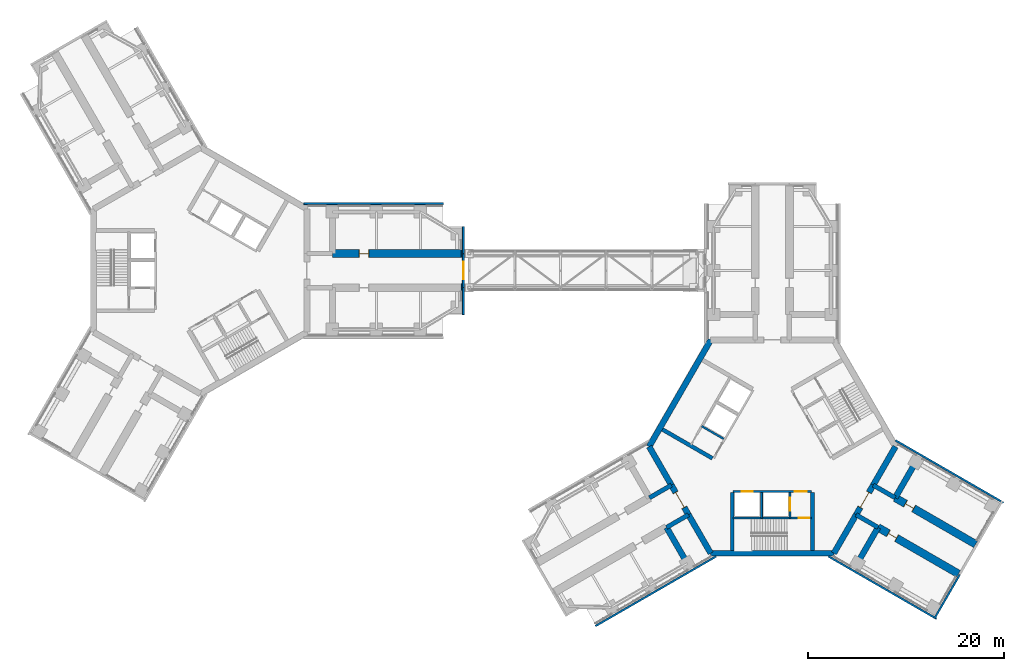
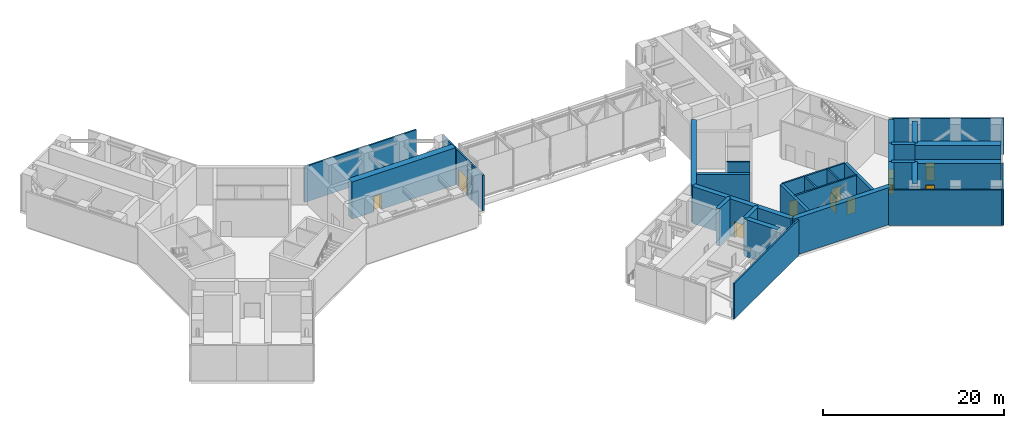
# One storey, part 9 of 15: 36 walls, 10 doors, 10 openings.
"""IFC4 building model written with IfcOpenShell, lengths in metres."""

from ifc_helpers import new_model, si_unit, direction, frame, frame_2d, origin, place, context, subcontext, project, spatial, rectangle, extrude, material, layer, layer_set, type_object, element, fill, save


model = new_model("IFC4")

# Units and contexts
model_context = context("Model", 3, precision=1e-05, world=origin(), true_north=direction((0.0, 1.0)))
body_context = subcontext(model_context, "Body", "Model", "MODEL_VIEW")
ifc_project = project(units=[si_unit("LENGTHUNIT", "METRE"), si_unit("AREAUNIT", "SQUARE_METRE"), si_unit("VOLUMEUNIT", "CUBIC_METRE"), si_unit("PLANEANGLEUNIT", "RADIAN"), si_unit("MASSUNIT", "GRAM", prefix="KILO")], contexts=[model_context])

# Site, building, storey
site_placement = place(None, origin())
site = spatial("IfcSite", under=ifc_project, at=site_placement, CompositionType="ELEMENT")
building_placement = place(site_placement, origin())
building = spatial("IfcBuilding", under=site, at=building_placement, Name="Upepo Twin Towers", CompositionType="ELEMENT")
storey_placement = place(building_placement, frame((0.0, 0.0, 165.5)))
storey = spatial("IfcBuildingStorey", under=building, at=storey_placement, Name="L40", CompositionType="ELEMENT", Elevation=165.5)

# Walls
ifc_material_1 = material(Name="Precast concrete breeze blocks", Category="concrete")
ifc_layer_1 = layer(ifc_material_1, 0.199951171875)
ifc_layer_set_1 = layer_set([ifc_layer_1], Name="Breeze-block screen wall 200")
wall_type_1 = type_object("IfcWallType", Name="Breeze-block screen wall 200", PredefinedType="USERDEFINED", material=ifc_layer_set_1)
wall_1_placement = place(storey_placement, frame((10.587158203125, 6.85009765625, 0.0), z_axis=(0.0, 0.0, 1.0), x_axis=(1.0, 0.0, 0.0)))
element("IfcWall", 1, at=wall_1_placement, inside=storey, type_object=wall_type_1, Name="T1 L40 wing A screen L", ObjectType="SCREEN", PredefinedType="USERDEFINED", context=body_context, shape_type="SweptSolid", body=[
    extrude(rectangle(XDim=14.262939453125, YDim=0.199951171875, at=frame_2d((7.13134765625, 0.0))), origin(), (0.0, 0.0, 1.0), 4.800048828125),
])
for number, where, z_axis, x_axis, name in (
    (2, (26.89990234375, -4.5, 0.0), (0.0, 0.0, 1.0), (0.0, 1.0, 0.0), "T1 L40 wing A nose screen 0"),
    (3, (26.89990234375, 1.75, 0.0), (0.0, 0.0, 1.0), (0.0, 1.0, 0.0), "T1 L40 wing A nose screen 2"),
):
    element("IfcWall", number, at=place(storey_placement, frame(where, z_axis=z_axis, x_axis=x_axis)), inside=storey, type_object=wall_type_1, Name=name, ObjectType="SCREEN", PredefinedType="USERDEFINED", context=body_context, shape_type="SweptSolid", body=[
        extrude(rectangle(XDim=2.75, YDim=0.199951171875, at=frame_2d((1.375, 0.0))), origin(), (0.0, 0.0, 1.0), 4.800048828125),
    ])
wall_2_placement = place(storey_placement, frame((52.75634765625, -29.225830078125, 0.0), z_axis=(0.0, 0.0, 1.0), x_axis=(-0.866028809711, -0.499994100716, 0.0)))
element("IfcWall", 4, at=wall_2_placement, inside=storey, type_object=wall_type_1, Name="T2 L40 wing B screen L", ObjectType="SCREEN", PredefinedType="USERDEFINED", context=body_context, shape_type="SweptSolid", body=[
    extrude(rectangle(XDim=14.262939453125, YDim=0.199951171875, at=frame_2d((7.13134765625, 0.0))), origin(), (0.0, 0.0, 1.0), 4.800048828125),
])
for number, where, z_axis, x_axis, name in (
    (5, (71.09375, -17.361328125, 0.0), (0.0, 0.0, 1.0), (0.866028540889, -0.499994566336, 0.0), "T2 L40 wing C screen L"),
    (6, (75.296630859375, -35.607177734375, 0.0), (0.0, 0.0, 1.0), (-0.866028540889, 0.499994566336, 0.0), "T2 L40 wing C screen R"),
):
    element("IfcWall", number, at=place(storey_placement, frame(where, z_axis=z_axis, x_axis=x_axis)), inside=storey, type_object=wall_type_1, Name=name, ObjectType="SCREEN", PredefinedType="USERDEFINED", context=body_context, shape_type="SweptSolid", body=[
        extrude(rectangle(XDim=12.762939453125, YDim=0.199951171875, at=frame_2d((6.38134765625, 0.0))), origin(), (0.0, 0.0, 1.0), 4.800048828125),
    ])
wall_3_placement = place(storey_placement, frame((75.073486328125, -35.593994140625, 0.0), z_axis=(0.0, 0.0, 1.0), x_axis=(0.500006934395, 0.866021400173, 0.0)))
element("IfcWall", 7, at=wall_3_placement, inside=storey, type_object=wall_type_1, Name="T2 L40 wing C nose screen 0", ObjectType="SCREEN", PredefinedType="USERDEFINED", context=body_context, shape_type="SweptSolid", body=[
    extrude(rectangle(XDim=5.2001953125, YDim=0.199951171875, at=frame_2d((2.60009765625, 0.0))), origin(), (0.0, 0.0, 1.0), 4.800048828125),
])
ifc_material_2 = material(Name="Dense concrete blockwork", Category="masonry")
ifc_layer_2 = layer(ifc_material_2, 0.800048828125)
ifc_layer_set_2 = layer_set([ifc_layer_2], Name="Buttress closer 800, blockwork with fire-stopping to the curtain wall")
wall_type_2 = type_object("IfcWallType", Name="Buttress closer 800, blockwork with fire-stopping to the curtain wall", PredefinedType="PARTITIONING", material=ifc_layer_set_2)
for number, where, z_axis, x_axis, name in (
    (8, (26.699951171875, 1.75, 0.0), (0.0, 0.0, 1.0), (1.0, 0.0, 0.0), "T1 L40 wing A buttress closer L"),
    (9, (26.699951171875, -1.75, 0.0), (0.0, 0.0, 1.0), (1.0, 0.0, 0.0), "T1 L40 wing A buttress closer R"),
):
    element("IfcWall", number, at=place(storey_placement, frame(where, z_axis=z_axis, x_axis=x_axis)), inside=storey, type_object=wall_type_2, Name=name, PredefinedType="PARTITIONING", context=body_context, shape_type="SweptSolid", body=[
        extrude(rectangle(XDim=0.10009765625, YDim=0.800048828125, at=frame_2d((0.050048828125, 0.0))), origin(), (0.0, 0.0, 1.0), 4.800048828125),
    ])
ifc_material_3 = material(Name="Concrete C60/75", Category="concrete")
ifc_layer_3 = layer(ifc_material_3, 0.449951171875)
ifc_layer_set_3 = layer_set([ifc_layer_3], Name="Concrete C60/75")
wall_type_3 = type_object("IfcWallType", Name="Buttress wall 450 RC", PredefinedType="SHEAR", material=ifc_layer_set_3)
for number, where, z_axis, x_axis, name in (
    (10, (49.92822265625, -24.9697265625, 0.0), (0.0, 0.0, 1.0), (-0.866031863473, -0.499988811324, 0.0), "T2 wing B buttress wall L"),
    (11, (48.17822265625, -21.938720703125, 0.0), (0.0, 0.0, 1.0), (-0.866072649678, -0.499918158782, 0.0), "T2 wing B buttress wall R"),
    (12, (68.82177734375, -21.938720703125, 0.0), (0.0, 0.0, 1.0), (0.866072649678, -0.499918158782, 0.0), "T2 wing C buttress wall L"),
    (13, (67.07177734375, -24.9697265625, 0.0), (0.0, 0.0, 1.0), (0.866031863473, -0.499988811324, 0.0), "T2 wing C buttress wall R"),
):
    element("IfcWall", number, at=place(storey_placement, frame(where, z_axis=z_axis, x_axis=x_axis)), inside=storey, type_object=wall_type_3, Name=name, PredefinedType="SHEAR", context=body_context, shape_type="SweptSolid", body=[
        extrude(rectangle(XDim=2.591796875, YDim=0.449951171875, at=frame_2d((1.2958984375, 0.0))), origin(), (0.0, 0.0, 1.0), 5.0),
    ])

# Wall, opening, door
ifc_material_4 = material(Name="Concrete C60/75", Category="concrete")
ifc_layer_4 = layer(ifc_material_4, 0.800048828125)
ifc_layer_set_4 = layer_set([ifc_layer_4], Name="Concrete C60/75")
wall_type_4 = type_object("IfcWallType", Name="Buttress wall 800 RC", PredefinedType="SHEAR", material=ifc_layer_set_4)
wall_4_placement = place(storey_placement, frame((13.5, 1.75, 0.0), z_axis=(0.0, 0.0, 1.0), x_axis=(1.0, 0.0, 0.0)))
wall_4 = element("IfcWall", 14, at=wall_4_placement, inside=storey, type_object=wall_type_4, Name="T1 wing A buttress wall L part 2", PredefinedType="SHEAR", context=body_context, shape_type="SweptSolid", body=[
    extrude(rectangle(XDim=13.199951171875, YDim=0.800048828125, at=frame_2d((6.60009765625, 0.0))), origin(), (0.0, 0.0, 1.0), 5.0),
])
opening_1_placement = place(wall_4_placement, frame((2.75, 0.0, 0.0)))
opening_1 = element("IfcOpeningElement", 15, at=opening_1_placement, cuts=wall_4, Name="Opening D1", PredefinedType="OPENING", context=body_context, shape_type="SweptSolid", body=[
    extrude(rectangle(XDim=1.0, YDim=2.10009765625, at=frame_2d((0.5, 1.050048828125))), frame((0.0, 0.409912109375, 0.0), z_axis=(0.0, -1.0, 0.0), x_axis=(1.0, 0.0, 0.0)), (0.0, 0.0, 1.0), 0.820068359375),
])
ifc_material_5 = material(Name="Timber doorset", Category="wood")
door_type_1 = type_object("IfcDoorType", Name="Room door 1000 FD30", OperationType="SINGLE_SWING_LEFT", PredefinedType="DOOR", material=ifc_material_5)
door_1_placement = place(opening_1_placement, origin())
door_1 = element("IfcDoor", 16, at=door_1_placement, inside=storey, type_object=door_type_1, Name="T1 L40 refuge area door", OperationType="SINGLE_SWING_LEFT", OverallHeight=2.10009765625, OverallWidth=1.0, PredefinedType="DOOR", context=body_context, shape_type="SweptSolid", body=[
    extrude(rectangle(XDim=0.92, YDim=2.06009765625, at=frame_2d((0.5, 1.030029296875))), frame((0.0, 0.02490234375, 0.0), z_axis=(0.0, -1.0, 0.0), x_axis=(1.0, 0.0, 0.0)), (0.0, 0.0, 1.0), 0.050048828125),
    extrude(rectangle(XDim=0.04, YDim=2.10009765625, at=frame_2d((0.02001953125, 1.050048828125))), frame((0.0, 0.39990234375, 0.0), z_axis=(0.0, -1.0, 0.0), x_axis=(1.0, 0.0, 0.0)), (0.0, 0.0, 1.0), 0.799560546875),
    extrude(rectangle(XDim=0.04, YDim=2.10009765625, at=frame_2d((0.97998046875, 1.050048828125))), frame((0.0, 0.39990234375, 0.0), z_axis=(0.0, -1.0, 0.0), x_axis=(1.0, 0.0, 0.0)), (0.0, 0.0, 1.0), 0.799560546875),
    extrude(rectangle(XDim=0.92, YDim=0.04, at=frame_2d((0.5, 2.080078125))), frame((0.0, 0.39990234375, 0.0), z_axis=(0.0, -1.0, 0.0), x_axis=(1.0, 0.0, 0.0)), (0.0, 0.0, 1.0), 0.799560546875),
])
fill(opening_1, door_1)

wall_5_placement = place(storey_placement, frame((71.06640625, -23.234375, 0.0), z_axis=(0.0, 0.0, 1.0), x_axis=(0.86602681393, -0.499997557548, 0.0)))
wall_5 = element("IfcWall", 17, at=wall_5_placement, inside=storey, type_object=wall_type_4, Name="T2 wing C buttress wall L part 2", PredefinedType="SHEAR", context=body_context, shape_type="SweptSolid", body=[
    extrude(rectangle(XDim=9.5, YDim=0.800048828125, at=frame_2d((4.75, 0.0))), origin(), (0.0, 0.0, 1.0), 5.0),
])
opening_2_placement = place(wall_5_placement, frame((1.199951171875, 0.0, 0.0)))
opening_2 = element("IfcOpeningElement", 18, at=opening_2_placement, cuts=wall_5, Name="Opening D1", PredefinedType="OPENING", context=body_context, shape_type="SweptSolid", body=[
    extrude(rectangle(XDim=1.0, YDim=2.10009765625, at=frame_2d((0.5, 1.050048828125))), frame((0.0, 0.409912109375, 0.0), z_axis=(0.0, -1.0, 0.0), x_axis=(1.0, 0.0, 0.0)), (0.0, 0.0, 1.0), 0.820068359375),
])
door_2_placement = place(opening_2_placement, origin())
door_2 = element("IfcDoor", 19, at=door_2_placement, inside=storey, type_object=door_type_1, Name="T2 L40 refuge area door", OperationType="SINGLE_SWING_LEFT", OverallHeight=2.10009765625, OverallWidth=1.0, PredefinedType="DOOR", context=body_context, shape_type="SweptSolid", body=[
    extrude(rectangle(XDim=0.92, YDim=2.06009765625, at=frame_2d((0.5, 1.030029296875))), frame((0.0, 0.02490234375, 0.0), z_axis=(0.0, -1.0, 0.0), x_axis=(1.0, 0.0, 0.0)), (0.0, 0.0, 1.0), 0.050048828125),
    extrude(rectangle(XDim=0.04, YDim=2.10009765625, at=frame_2d((0.02001953125, 1.050048828125))), frame((0.0, 0.39990234375, 0.0), z_axis=(0.0, -1.0, 0.0), x_axis=(1.0, 0.0, 0.0)), (0.0, 0.0, 1.0), 0.799560546875),
    extrude(rectangle(XDim=0.04, YDim=2.10009765625, at=frame_2d((0.97998046875, 1.050048828125))), frame((0.0, 0.39990234375, 0.0), z_axis=(0.0, -1.0, 0.0), x_axis=(1.0, 0.0, 0.0)), (0.0, 0.0, 1.0), 0.799560546875),
    extrude(rectangle(XDim=0.92, YDim=0.04, at=frame_2d((0.5, 2.080078125))), frame((0.0, 0.39990234375, 0.0), z_axis=(0.0, -1.0, 0.0), x_axis=(1.0, 0.0, 0.0)), (0.0, 0.0, 1.0), 0.799560546875),
])
fill(opening_2, door_2)

wall_6_placement = place(storey_placement, frame((69.31640625, -26.265625, 0.0), z_axis=(0.0, 0.0, 1.0), x_axis=(0.86602681393, -0.499997557548, 0.0)))
wall_6 = element("IfcWall", 20, at=wall_6_placement, inside=storey, type_object=wall_type_4, Name="T2 wing C buttress wall R part 2", PredefinedType="SHEAR", context=body_context, shape_type="SweptSolid", body=[
    extrude(rectangle(XDim=9.5, YDim=0.800048828125, at=frame_2d((4.75, 0.0))), origin(), (0.0, 0.0, 1.0), 5.0),
])
opening_3_placement = place(wall_6_placement, frame((1.199951171875, 0.0, 0.0)))
opening_3 = element("IfcOpeningElement", 21, at=opening_3_placement, cuts=wall_6, Name="Opening D1", PredefinedType="OPENING", context=body_context, shape_type="SweptSolid", body=[
    extrude(rectangle(XDim=1.0, YDim=2.10009765625, at=frame_2d((0.5, 1.050048828125))), frame((0.0, 0.409912109375, 0.0), z_axis=(0.0, -1.0, 0.0), x_axis=(1.0, 0.0, 0.0)), (0.0, 0.0, 1.0), 0.820068359375),
])
door_3_placement = place(opening_3_placement, origin())
door_3 = element("IfcDoor", 22, at=door_3_placement, inside=storey, type_object=door_type_1, Name="T2 L40 electrical switch room door", OperationType="SINGLE_SWING_LEFT", OverallHeight=2.10009765625, OverallWidth=1.0, PredefinedType="DOOR", context=body_context, shape_type="SweptSolid", body=[
    extrude(rectangle(XDim=0.92, YDim=2.06009765625, at=frame_2d((0.5, 1.030029296875))), frame((0.0, 0.02490234375, 0.0), z_axis=(0.0, -1.0, 0.0), x_axis=(1.0, 0.0, 0.0)), (0.0, 0.0, 1.0), 0.050048828125),
    extrude(rectangle(XDim=0.04, YDim=2.10009765625, at=frame_2d((0.02001953125, 1.050048828125))), frame((0.0, 0.39990234375, 0.0), z_axis=(0.0, -1.0, 0.0), x_axis=(1.0, 0.0, 0.0)), (0.0, 0.0, 1.0), 0.799560546875),
    extrude(rectangle(XDim=0.04, YDim=2.10009765625, at=frame_2d((0.97998046875, 1.050048828125))), frame((0.0, 0.39990234375, 0.0), z_axis=(0.0, -1.0, 0.0), x_axis=(1.0, 0.0, 0.0)), (0.0, 0.0, 1.0), 0.799560546875),
    extrude(rectangle(XDim=0.92, YDim=0.04, at=frame_2d((0.5, 2.080078125))), frame((0.0, 0.39990234375, 0.0), z_axis=(0.0, -1.0, 0.0), x_axis=(1.0, 0.0, 0.0)), (0.0, 0.0, 1.0), 0.799560546875),
])
fill(opening_3, door_3)

# Walls
ifc_material_6 = material(Name="Concrete C60/75", Category="concrete")
ifc_layer_5 = layer(ifc_material_6, 0.60009765625)
ifc_layer_set_5 = layer_set([ifc_layer_5], Name="Concrete C60/75")
wall_type_5 = type_object("IfcWallType", Name="Core wall 600 RC", PredefinedType="SHEAR", material=ifc_layer_set_5)
wall_7_placement = place(storey_placement, frame((52.2021484375, -7.091552734375, 0.0), z_axis=(0.0, 0.0, 1.0), x_axis=(-0.500005998175, -0.866021940709, 0.0)))
element("IfcWall", 23, at=wall_7_placement, inside=storey, type_object=wall_type_5, Name="T2 core wall 060", PredefinedType="SHEAR", context=body_context, shape_type="SweptSolid", body=[
    extrude(rectangle(XDim=12.595947265625, YDim=0.60009765625, at=frame_2d((6.2978515625, 0.0))), origin(), (0.0, 0.0, 1.0), 5.0),
])
wall_8_placement = place(storey_placement, frame((45.904052734375, -18.0, 0.0), z_axis=(0.0, 0.0, 1.0), x_axis=(0.500024481964, -0.866011268655, 0.0)))
element("IfcWall", 24, at=wall_8_placement, inside=storey, type_object=wall_type_5, Name="T2 core wall 120 R", PredefinedType="SHEAR", context=body_context, shape_type="SweptSolid", body=[
    extrude(rectangle(XDim=4.548095703125, YDim=0.60009765625, at=frame_2d((2.27392578125, 0.0))), origin(), (0.0, 0.0, 1.0), 5.0),
])

# Wall, opening, door
wall_9_placement = place(storey_placement, frame((48.17822265625, -21.938720703125, 0.0), z_axis=(0.0, 0.0, 1.0), x_axis=(0.500010275428, -0.866019471182, 0.0)))
wall_9 = element("IfcWall", 25, at=wall_9_placement, inside=storey, type_object=wall_type_5, Name="T2 core wall 120", PredefinedType="SHEAR", context=body_context, shape_type="SweptSolid", body=[
    extrude(rectangle(XDim=3.5, YDim=0.60009765625, at=frame_2d((1.75, 0.0))), origin(), (0.0, 0.0, 1.0), 5.0),
])
opening_4_placement = place(wall_9_placement, frame((0.85009765625, 0.0, 0.0)))
opening_4 = element("IfcOpeningElement", 26, at=opening_4_placement, cuts=wall_9, Name="Opening D2", PredefinedType="OPENING", context=body_context, shape_type="SweptSolid", body=[
    extrude(rectangle(XDim=1.800048828125, YDim=2.10009765625, at=frame_2d((0.89990234375, 1.050048828125))), frame((0.0, 0.31005859375, 0.0), z_axis=(0.0, -1.0, 0.0), x_axis=(1.0, 0.0, 0.0)), (0.0, 0.0, 1.0), 0.6201171875),
])
ifc_material_7 = material(Name="Timber doorset", Category="wood")
door_type_2 = type_object("IfcDoorType", Name="Corridor double door 1800 FD60", OperationType="DOUBLE_DOOR_DOUBLE_SWING", PredefinedType="DOOR", material=ifc_material_7)
door_4_placement = place(opening_4_placement, origin())
door_4 = element("IfcDoor", 27, at=door_4_placement, inside=storey, type_object=door_type_2, Name="T2 L40 wing B corridor door", OperationType="DOUBLE_DOOR_DOUBLE_SWING", OverallHeight=2.10009765625, OverallWidth=1.800048828125, PredefinedType="DOOR", context=body_context, shape_type="SweptSolid", body=[
    extrude(rectangle(XDim=1.720048828125, YDim=2.06009765625, at=frame_2d((0.89990234375, 1.030029296875))), frame((0.0, 0.02490234375, 0.0), z_axis=(0.0, -1.0, 0.0), x_axis=(1.0, 0.0, 0.0)), (0.0, 0.0, 1.0), 0.050048828125),
    extrude(rectangle(XDim=0.04, YDim=2.10009765625, at=frame_2d((0.02001953125, 1.050048828125))), frame((0.0, 0.2998046875, 0.0), z_axis=(0.0, -1.0, 0.0), x_axis=(1.0, 0.0, 0.0)), (0.0, 0.0, 1.0), 0.599609375),
    extrude(rectangle(XDim=0.04, YDim=2.10009765625, at=frame_2d((1.780029296875, 1.050048828125))), frame((0.0, 0.2998046875, 0.0), z_axis=(0.0, -1.0, 0.0), x_axis=(1.0, 0.0, 0.0)), (0.0, 0.0, 1.0), 0.599609375),
    extrude(rectangle(XDim=1.720048828125, YDim=0.04, at=frame_2d((0.89990234375, 2.080078125))), frame((0.0, 0.2998046875, 0.0), z_axis=(0.0, -1.0, 0.0), x_axis=(1.0, 0.0, 0.0)), (0.0, 0.0, 1.0), 0.599609375),
])
fill(opening_4, door_4)

# Walls
wall_10_placement = place(storey_placement, frame((49.92822265625, -24.9697265625, 0.0), z_axis=(0.0, 0.0, 1.0), x_axis=(0.499984222037, -0.866034513004, 0.0)))
element("IfcWall", 28, at=wall_10_placement, inside=storey, type_object=wall_type_5, Name="T2 core wall 120 L", PredefinedType="SHEAR", context=body_context, shape_type="SweptSolid", body=[
    extrude(rectangle(XDim=4.548095703125, YDim=0.60009765625, at=frame_2d((2.27392578125, 0.0))), origin(), (0.0, 0.0, 1.0), 5.0),
])
wall_11_placement = place(storey_placement, frame((52.2021484375, -28.908447265625, 0.0), z_axis=(0.0, 0.0, 1.0), x_axis=(1.0, 0.0, 0.0)))
element("IfcWall", 29, at=wall_11_placement, inside=storey, type_object=wall_type_5, Name="T2 core wall 180", PredefinedType="SHEAR", context=body_context, shape_type="SweptSolid", body=[
    extrude(rectangle(XDim=12.595703125, YDim=0.60009765625, at=frame_2d((6.2978515625, 0.0))), origin(), (0.0, 0.0, 1.0), 5.0),
])
wall_12_placement = place(storey_placement, frame((64.7978515625, -28.908447265625, 0.0), z_axis=(0.0, 0.0, 1.0), x_axis=(0.499984222037, 0.866034513004, 0.0)))
element("IfcWall", 30, at=wall_12_placement, inside=storey, type_object=wall_type_5, Name="T2 core wall 240 R", PredefinedType="SHEAR", context=body_context, shape_type="SweptSolid", body=[
    extrude(rectangle(XDim=4.548095703125, YDim=0.60009765625, at=frame_2d((2.27392578125, 0.0))), origin(), (0.0, 0.0, 1.0), 5.0),
])

# Wall, opening, door
wall_13_placement = place(storey_placement, frame((67.07177734375, -24.9697265625, 0.0), z_axis=(0.0, 0.0, 1.0), x_axis=(0.500010275428, 0.866019471182, 0.0)))
wall_13 = element("IfcWall", 31, at=wall_13_placement, inside=storey, type_object=wall_type_5, Name="T2 core wall 240", PredefinedType="SHEAR", context=body_context, shape_type="SweptSolid", body=[
    extrude(rectangle(XDim=3.5, YDim=0.60009765625, at=frame_2d((1.75, 0.0))), origin(), (0.0, 0.0, 1.0), 5.0),
])
opening_5_placement = place(wall_13_placement, frame((0.85009765625, 0.0, 0.0)))
opening_5 = element("IfcOpeningElement", 32, at=opening_5_placement, cuts=wall_13, Name="Opening D2", PredefinedType="OPENING", context=body_context, shape_type="SweptSolid", body=[
    extrude(rectangle(XDim=1.800048828125, YDim=2.10009765625, at=frame_2d((0.89990234375, 1.050048828125))), frame((0.0, 0.31005859375, 0.0), z_axis=(0.0, -1.0, 0.0), x_axis=(1.0, 0.0, 0.0)), (0.0, 0.0, 1.0), 0.6201171875),
])
door_5_placement = place(opening_5_placement, origin())
door_5 = element("IfcDoor", 33, at=door_5_placement, inside=storey, type_object=door_type_2, Name="T2 L40 wing C corridor door", OperationType="DOUBLE_DOOR_DOUBLE_SWING", OverallHeight=2.10009765625, OverallWidth=1.800048828125, PredefinedType="DOOR", context=body_context, shape_type="SweptSolid", body=[
    extrude(rectangle(XDim=1.720048828125, YDim=2.06009765625, at=frame_2d((0.89990234375, 1.030029296875))), frame((0.0, 0.02490234375, 0.0), z_axis=(0.0, -1.0, 0.0), x_axis=(1.0, 0.0, 0.0)), (0.0, 0.0, 1.0), 0.050048828125),
    extrude(rectangle(XDim=0.04, YDim=2.10009765625, at=frame_2d((0.02001953125, 1.050048828125))), frame((0.0, 0.2998046875, 0.0), z_axis=(0.0, -1.0, 0.0), x_axis=(1.0, 0.0, 0.0)), (0.0, 0.0, 1.0), 0.599609375),
    extrude(rectangle(XDim=0.04, YDim=2.10009765625, at=frame_2d((1.780029296875, 1.050048828125))), frame((0.0, 0.2998046875, 0.0), z_axis=(0.0, -1.0, 0.0), x_axis=(1.0, 0.0, 0.0)), (0.0, 0.0, 1.0), 0.599609375),
    extrude(rectangle(XDim=1.720048828125, YDim=0.04, at=frame_2d((0.89990234375, 2.080078125))), frame((0.0, 0.2998046875, 0.0), z_axis=(0.0, -1.0, 0.0), x_axis=(1.0, 0.0, 0.0)), (0.0, 0.0, 1.0), 0.599609375),
])
fill(opening_5, door_5)

# Walls
wall_14_placement = place(storey_placement, frame((68.82177734375, -21.938720703125, 0.0), z_axis=(0.0, 0.0, 1.0), x_axis=(0.500024481964, 0.866011268655, 0.0)))
element("IfcWall", 34, at=wall_14_placement, inside=storey, type_object=wall_type_5, Name="T2 core wall 240 L", PredefinedType="SHEAR", context=body_context, shape_type="SweptSolid", body=[
    extrude(rectangle(XDim=4.548095703125, YDim=0.60009765625, at=frame_2d((2.27392578125, 0.0))), origin(), (0.0, 0.0, 1.0), 5.0),
])
ifc_material_8 = material(Name="Concrete C60/75", Category="concrete")
ifc_layer_6 = layer(ifc_material_8, 0.60009765625)
ifc_layer_set_6 = layer_set([ifc_layer_6], Name="Concrete C60/75")
wall_type_6 = type_object("IfcWallType", Name="Outrigger wall 600 RC", PredefinedType="SHEAR", material=ifc_layer_set_6)
for number, where, z_axis, x_axis, name in (
    (35, (47.68359375, -26.265625, 0.0), (0.0, 0.0, 1.0), (0.50001915956, -0.866014341725, 0.0), "T2 outrigger wall BL"),
    (36, (71.06640625, -23.234375, 0.0), (0.0, 0.0, 1.0), (0.50001915956, 0.866014341725, 0.0), "T2 outrigger wall CL"),
    (37, (69.31640625, -26.265625, 0.0), (0.0, 0.0, 1.0), (-0.50001915956, -0.866014341725, 0.0), "T2 outrigger wall CR"),
):
    element("IfcWall", number, at=place(storey_placement, frame(where, z_axis=z_axis, x_axis=x_axis)), inside=storey, type_object=wall_type_6, Name=name, PredefinedType="SHEAR", context=body_context, shape_type="SweptSolid", body=[
        extrude(rectangle(XDim=4.249755859375, YDim=0.60009765625, at=frame_2d((2.125, 0.0))), origin(), (0.0, 0.0, 1.0), 5.0),
    ])

# Wall, opening, door
ifc_material_9 = material(Name="Concrete C40/50", Category="concrete")
ifc_layer_7 = layer(ifc_material_9, 0.25)
ifc_layer_set_7 = layer_set([ifc_layer_7], Name="Concrete C40/50")
wall_type_7 = type_object("IfcWallType", Name="Refuge fire wall 250 RC", PredefinedType="STANDARD", material=ifc_layer_set_7)
wall_15_placement = place(storey_placement, frame((26.89990234375, -1.75, 0.0), z_axis=(0.0, 0.0, 1.0), x_axis=(0.0, 1.0, 0.0)))
wall_15 = element("IfcWall", 38, at=wall_15_placement, inside=storey, type_object=wall_type_7, Name="T1 L40 wing A nose wall", PredefinedType="STANDARD", context=body_context, shape_type="SweptSolid", body=[
    extrude(rectangle(XDim=3.5, YDim=0.199951171875, at=frame_2d((1.75, 0.0))), origin(), (0.0, 0.0, 1.0), 4.800048828125),
])
opening_6_placement = place(wall_15_placement, frame((0.85009765625, 0.0, 0.0)))
opening_6 = element("IfcOpeningElement", 39, at=opening_6_placement, cuts=wall_15, Name="Opening D6", PredefinedType="OPENING", context=body_context, shape_type="SweptSolid", body=[
    extrude(rectangle(XDim=1.800048828125, YDim=2.39990234375, at=frame_2d((0.89990234375, 1.199951171875))), frame((0.0, 0.10986328125, 0.0), z_axis=(0.0, -1.0, 0.0), x_axis=(1.0, 0.0, 0.0)), (0.0, 0.0, 1.0), 0.219970703125),
])
ifc_material_10 = material(Name="Aluminium glazed doorset", Category="aluminium")
door_type_3 = type_object("IfcDoorType", Name="Bridge door 1800 FD60", OperationType="DOUBLE_DOOR_DOUBLE_SWING", PredefinedType="DOOR", material=ifc_material_10)
door_6_placement = place(opening_6_placement, origin())
door_6 = element("IfcDoor", 40, at=door_6_placement, inside=storey, type_object=door_type_3, Name="T1 L40 wing A bridge door", OperationType="DOUBLE_DOOR_DOUBLE_SWING", OverallHeight=2.39990234375, OverallWidth=1.800048828125, PredefinedType="DOOR", context=body_context, shape_type="SweptSolid", body=[
    extrude(rectangle(XDim=1.800048828125, YDim=2.39990234375, at=frame_2d((0.89990234375, 1.199951171875))), frame((0.0, 0.02490234375, 0.0), z_axis=(0.0, -1.0, 0.0), x_axis=(1.0, 0.0, 0.0)), (0.0, 0.0, 1.0), 0.050048828125),
])
fill(opening_6, door_6)

# Wall
ifc_material_11 = material(Name="Concrete C40/50", Category="concrete")
ifc_layer_8 = layer(ifc_material_11, 0.199951171875)
ifc_layer_set_8 = layer_set([ifc_layer_8], Name="Concrete C40/50")
wall_type_8 = type_object("IfcWallType", Name="Shaft wall 200 RC", PredefinedType="SHEAR", material=ifc_layer_set_8)
wall_16_placement = place(storey_placement, frame((53.52978515625, -17.208740234375, 0.0), z_axis=(0.0, 0.0, 1.0), x_axis=(-0.866062058628, 0.499936506574, 0.0)))
element("IfcWall", 41, at=wall_16_placement, inside=storey, type_object=wall_type_8, Name="T2 core W60 lobby wall", PredefinedType="SHEAR", context=body_context, shape_type="SweptSolid", body=[
    extrude(rectangle(XDim=2.599853515625, YDim=0.199951171875, at=frame_2d((1.2998046875, 0.0))), origin(), (0.0, 0.0, 1.0), 5.0),
])

# Wall, openings, doors
wall_17_placement = place(storey_placement, frame((54.5, -22.60009765625, 0.0), z_axis=(0.0, 0.0, 1.0), x_axis=(1.0, 0.0, 0.0)))
wall_17 = element("IfcWall", 42, at=wall_17_placement, inside=storey, type_object=wall_type_8, Name="T2 core W180 front wall", PredefinedType="SHEAR", context=body_context, shape_type="SweptSolid", body=[
    extrude(rectangle(XDim=8.0, YDim=0.199951171875, at=frame_2d((4.0, 0.0))), origin(), (0.0, 0.0, 1.0), 5.0),
])
opening_7_placement = place(wall_17_placement, frame((6.300048828125, 0.0, 0.0)))
opening_7 = element("IfcOpeningElement", 43, at=opening_7_placement, cuts=wall_17, Name="Opening D4", PredefinedType="OPENING", context=body_context, shape_type="SweptSolid", body=[
    extrude(rectangle(XDim=1.199951171875, YDim=2.10009765625, at=frame_2d((0.60009765625, 1.050048828125))), frame((0.0, 0.10986328125, 0.0), z_axis=(0.0, -1.0, 0.0), x_axis=(1.0, 0.0, 0.0)), (0.0, 0.0, 1.0), 0.219970703125),
])
opening_8_placement = place(wall_17_placement, frame((0.89990234375, 0.0, 0.0)))
opening_8 = element("IfcOpeningElement", 44, at=opening_8_placement, cuts=wall_17, Name="Opening LD1", PredefinedType="OPENING", context=body_context, shape_type="SweptSolid", body=[
    extrude(rectangle(XDim=1.10009765625, YDim=2.199951171875, at=frame_2d((0.550048828125, 1.10009765625))), frame((0.0, 0.10986328125, 0.0), z_axis=(0.0, -1.0, 0.0), x_axis=(1.0, 0.0, 0.0)), (0.0, 0.0, 1.0), 0.219970703125),
])
ifc_material_12 = material(Name="Steel doorset", Category="steel")
door_type_4 = type_object("IfcDoorType", Name="Lift landing door 1100", OperationType="DOUBLE_DOOR_SLIDING", PredefinedType="DOOR", material=ifc_material_12)
door_7_placement = place(opening_8_placement, origin())
door_7 = element("IfcDoor", 45, at=door_7_placement, inside=storey, type_object=door_type_4, Name="T2 L40 lift SV1 landing door", OperationType="DOUBLE_DOOR_SLIDING", OverallHeight=2.199951171875, OverallWidth=1.10009765625, PredefinedType="DOOR", context=body_context, shape_type="SweptSolid", body=[
    extrude(rectangle(XDim=1.10009765625, YDim=2.199951171875, at=frame_2d((0.550048828125, 1.10009765625))), frame((0.0, 0.02490234375, 0.0), z_axis=(0.0, -1.0, 0.0), x_axis=(1.0, 0.0, 0.0)), (0.0, 0.0, 1.0), 0.050048828125),
])
fill(opening_8, door_7)
ifc_material_13 = material(Name="Timber doorset", Category="wood")
door_type_5 = type_object("IfcDoorType", Name="Lobby door 1200 FD60", OperationType="SINGLE_SWING_LEFT", PredefinedType="DOOR", material=ifc_material_13)
door_8_placement = place(opening_7_placement, origin())
door_8 = element("IfcDoor", 46, at=door_8_placement, inside=storey, type_object=door_type_5, Name="T2 L40 W180 lobby door", OperationType="SINGLE_SWING_RIGHT", OverallHeight=2.10009765625, OverallWidth=1.199951171875, PredefinedType="DOOR", context=body_context, shape_type="SweptSolid", body=[
    extrude(rectangle(XDim=1.199951171875, YDim=2.10009765625, at=frame_2d((0.60009765625, 1.050048828125))), frame((0.0, 0.02490234375, 0.0), z_axis=(0.0, -1.0, 0.0), x_axis=(1.0, 0.0, 0.0)), (0.0, 0.0, 1.0), 0.050048828125),
])
fill(opening_7, door_8)

# Wall
wall_18_placement = place(storey_placement, frame((57.39990234375, -22.699951171875, 0.0), z_axis=(0.0, 0.0, 1.0), x_axis=(0.0, -1.0, 0.0)))
element("IfcWall", 47, at=wall_18_placement, inside=storey, type_object=wall_type_8, Name="T2 core W180 shaft divider", PredefinedType="SHEAR", context=body_context, shape_type="SweptSolid", body=[
    extrude(rectangle(XDim=2.60009765625, YDim=0.199951171875, at=frame_2d((1.300048828125, 0.0))), origin(), (0.0, 0.0, 1.0), 5.0),
])

# Wall, opening, door
wall_19_placement = place(storey_placement, frame((60.300048828125, -22.699951171875, 0.0), z_axis=(0.0, 0.0, 1.0), x_axis=(0.0, -1.0, 0.0)))
wall_19 = element("IfcWall", 48, at=wall_19_placement, inside=storey, type_object=wall_type_8, Name="T2 core W180 lobby wall", PredefinedType="SHEAR", context=body_context, shape_type="SweptSolid", body=[
    extrude(rectangle(XDim=2.60009765625, YDim=0.199951171875, at=frame_2d((1.300048828125, 0.0))), origin(), (0.0, 0.0, 1.0), 5.0),
])
opening_9_placement = place(wall_19_placement, frame((0.550048828125, 0.0, 0.0)))
opening_9 = element("IfcOpeningElement", 49, at=opening_9_placement, cuts=wall_19, Name="Opening LD2", PredefinedType="OPENING", context=body_context, shape_type="SweptSolid", body=[
    extrude(rectangle(XDim=1.300048828125, YDim=2.199951171875, at=frame_2d((0.64990234375, 1.10009765625))), frame((0.0, 0.10986328125, 0.0), z_axis=(0.0, -1.0, 0.0), x_axis=(1.0, 0.0, 0.0)), (0.0, 0.0, 1.0), 0.219970703125),
])
ifc_material_14 = material(Name="Steel doorset", Category="steel")
door_type_6 = type_object("IfcDoorType", Name="Firefighting lift landing door 1300", OperationType="DOUBLE_DOOR_SLIDING", PredefinedType="DOOR", material=ifc_material_14)
door_9_placement = place(opening_9_placement, origin())
door_9 = element("IfcDoor", 50, at=door_9_placement, inside=storey, type_object=door_type_6, Name="T2 L40 firefighting lift landing door", OperationType="DOUBLE_DOOR_SLIDING", OverallHeight=2.199951171875, OverallWidth=1.300048828125, PredefinedType="DOOR", context=body_context, shape_type="SweptSolid", body=[
    extrude(rectangle(XDim=1.300048828125, YDim=2.199951171875, at=frame_2d((0.64990234375, 1.10009765625))), frame((0.0, 0.02490234375, 0.0), z_axis=(0.0, -1.0, 0.0), x_axis=(1.0, 0.0, 0.0)), (0.0, 0.0, 1.0), 0.050048828125),
])
fill(opening_9, door_9)

wall_20_placement = place(storey_placement, frame((54.5, -25.300048828125, 0.0), z_axis=(0.0, 0.0, 1.0), x_axis=(1.0, 0.0, 0.0)))
wall_20 = element("IfcWall", 51, at=wall_20_placement, inside=storey, type_object=wall_type_8, Name="T2 core W180 stair wall", PredefinedType="SHEAR", context=body_context, shape_type="SweptSolid", body=[
    extrude(rectangle(XDim=8.0, YDim=0.199951171875, at=frame_2d((4.0, 0.0))), origin(), (0.0, 0.0, 1.0), 5.0),
])
opening_10_placement = place(wall_20_placement, frame((6.699951171875, 0.0, 0.0)))
opening_10 = element("IfcOpeningElement", 52, at=opening_10_placement, cuts=wall_20, Name="Opening D3", PredefinedType="OPENING", context=body_context, shape_type="SweptSolid", body=[
    extrude(rectangle(XDim=1.10009765625, YDim=2.10009765625, at=frame_2d((0.550048828125, 1.050048828125))), frame((0.0, 0.10986328125, 0.0), z_axis=(0.0, -1.0, 0.0), x_axis=(1.0, 0.0, 0.0)), (0.0, 0.0, 1.0), 0.219970703125),
])
ifc_material_15 = material(Name="Timber doorset", Category="wood")
door_type_7 = type_object("IfcDoorType", Name="Stair door 1100 FD60", OperationType="SINGLE_SWING_LEFT", PredefinedType="DOOR", material=ifc_material_15)
door_10_placement = place(opening_10_placement, origin())
door_10 = element("IfcDoor", 53, at=door_10_placement, inside=storey, type_object=door_type_7, Name="T2 L40 stair door", OperationType="SINGLE_SWING_RIGHT", OverallHeight=2.10009765625, OverallWidth=1.10009765625, PredefinedType="DOOR", context=body_context, shape_type="SweptSolid", body=[
    extrude(rectangle(XDim=1.10009765625, YDim=2.10009765625, at=frame_2d((0.550048828125, 1.050048828125))), frame((0.0, 0.02490234375, 0.0), z_axis=(0.0, -1.0, 0.0), x_axis=(1.0, 0.0, 0.0)), (0.0, 0.0, 1.0), 0.050048828125),
])
fill(opening_10, door_10)

# Walls
ifc_material_16 = material(Name="Concrete C40/50", Category="concrete")
ifc_layer_9 = layer(ifc_material_16, 0.39990234375)
ifc_layer_set_9 = layer_set([ifc_layer_9], Name="Concrete C40/50")
wall_type_9 = type_object("IfcWallType", Name="Shaft wall 400 RC", PredefinedType="SHEAR", material=ifc_layer_set_9)
wall_21_placement = place(storey_placement, frame((52.379638671875, -19.20068359375, 0.0), z_axis=(0.0, 0.0, 1.0), x_axis=(-0.866027317282, 0.49999668571, 0.0)))
element("IfcWall", 54, at=wall_21_placement, inside=storey, type_object=wall_type_9, Name="T2 core W60 side wall N", PredefinedType="SHEAR", context=body_context, shape_type="SweptSolid", body=[
    extrude(rectangle(XDim=5.908203125, YDim=0.39990234375, at=frame_2d((2.9541015625, 0.0))), origin(), (0.0, 0.0, 1.0), 5.0),
])
for number, where, z_axis, x_axis, name in (
    (55, (62.60009765625, -22.699951171875, 0.0), (0.0, 0.0, 1.0), (0.0, -1.0, 0.0), "T2 core W180 side wall N"),
    (56, (54.39990234375, -22.699951171875, 0.0), (0.0, 0.0, 1.0), (0.0, -1.0, 0.0), "T2 core W180 side wall S"),
):
    element("IfcWall", number, at=place(storey_placement, frame(where, z_axis=z_axis, x_axis=x_axis)), inside=storey, type_object=wall_type_9, Name=name, PredefinedType="SHEAR", context=body_context, shape_type="SweptSolid", body=[
        extrude(rectangle(XDim=5.908447265625, YDim=0.39990234375, at=frame_2d((2.9541015625, 0.0))), origin(), (0.0, 0.0, 1.0), 5.0),
    ])

save(model, "model.ifc")
